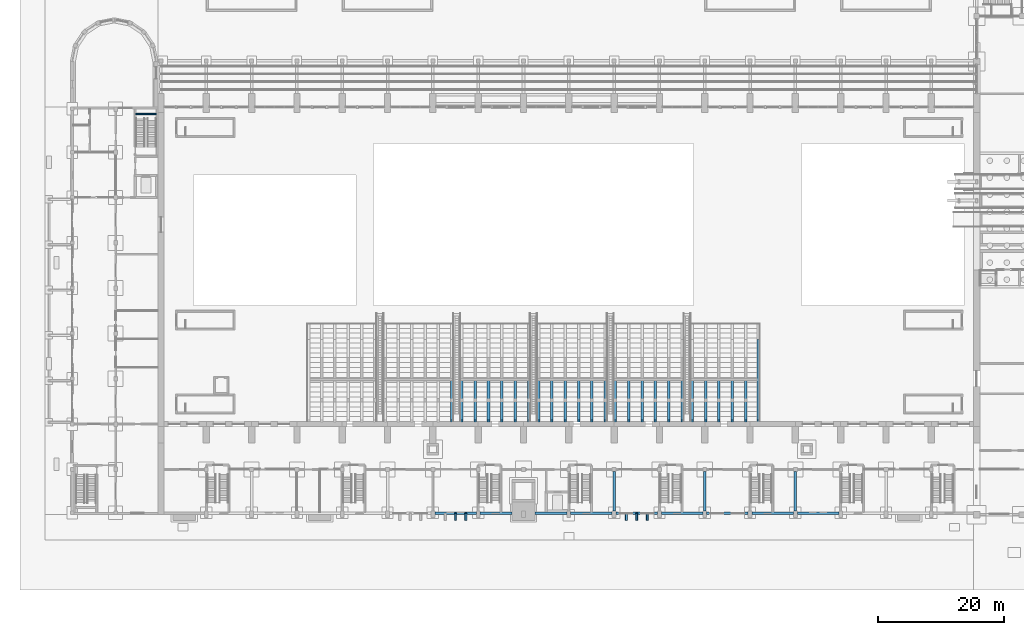
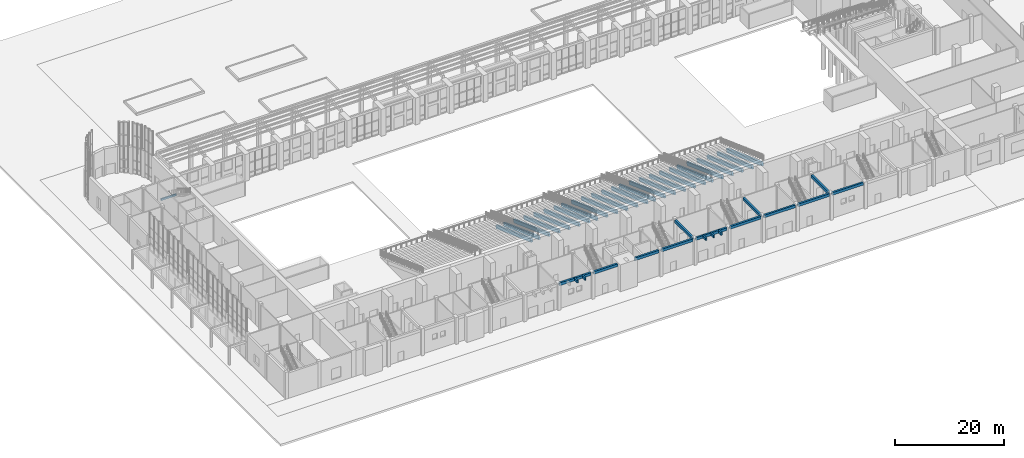
# One storey, part 12 of 70: 38 beams, 5 members.
"""IFC4 building model written with IfcOpenShell, lengths in metres."""

from ifc_helpers import new_model, si_unit, direction, frame, origin, origin_2d, place, context, subcontext, project, spatial, rectangle, extrude, material, material_profile, profile_set, type_object, element, save


model = new_model("IFC4")

# Units and contexts
model_context = context("Model", 3, precision=1e-05, world=origin(), true_north=direction((0.0, 1.0)))
body_context = subcontext(model_context, "Body", "Model", "MODEL_VIEW")
ifc_project = project(units=[si_unit("LENGTHUNIT", "METRE"), si_unit("AREAUNIT", "SQUARE_METRE"), si_unit("VOLUMEUNIT", "CUBIC_METRE"), si_unit("PLANEANGLEUNIT", "RADIAN"), si_unit("MASSUNIT", "GRAM", prefix="KILO")], contexts=[model_context])

# Site, building, storey
site_placement = place(None, origin())
site = spatial("IfcSite", under=ifc_project, at=site_placement, CompositionType="ELEMENT")
building_placement = place(site_placement, origin())
building = spatial("IfcBuilding", under=site, at=building_placement, Name="Vermilion Court Aquatics Centre", CompositionType="ELEMENT")
storey_placement = place(building_placement, origin())
storey = spatial("IfcBuildingStorey", under=building, at=storey_placement, Name="L00", CompositionType="ELEMENT", Elevation=0.0)

# Beams
ifc_material_1 = material(Name="Concrete 5000 psi", Category="concrete")
ifc_material_profile_1 = material_profile(ifc_material_1, rectangle(XDim=0.25, YDim=0.39990234375, at=origin_2d()), Name="RC 250x400")
ifc_profile_set_1 = profile_set([ifc_material_profile_1], Name="Concrete 5000 psi")
beam_type_1 = type_object("IfcBeamType", Name="Foyer landing beam RC 250x400", PredefinedType="BEAM", material=ifc_profile_set_1)
beam_1_placement = place(storey_placement, frame((10.425048828125, 63.68994140625, 2.375), z_axis=(1.0, 0.0, 0.0), x_axis=(0.0, 1.0, 0.0)))
element("IfcBeam", 1, at=beam_1_placement, inside=storey, type_object=beam_type_1, Name="Landing beam F2", PredefinedType="BEAM", context=body_context, shape_type="SweptSolid", body=[
    extrude(rectangle(XDim=0.25, YDim=0.39990234375, at=origin_2d()), origin(), (0.0, 0.0, 1.0), 3.224853515625),
])
ifc_material_2 = material(Name="Concrete 5000 psi", Category="concrete")
ifc_material_profile_2 = material_profile(ifc_material_2, rectangle(XDim=0.39990234375, YDim=0.60009765625, at=origin_2d()), Name="RC 400x600")
ifc_profile_set_2 = profile_set([ifc_material_profile_2], Name="Concrete 5000 psi")
beam_type_2 = type_object("IfcBeamType", Name="South floor beam RC 400x600", PredefinedType="BEAM", material=ifc_profile_set_2)
beam_2_placement = place(storey_placement, frame((57.89990234375, 0.199951171875, 5.39990234375), z_axis=(1.0, 0.0, 0.0), x_axis=(0.0, 1.0, 0.0)))
element("IfcBeam", 2, at=beam_2_placement, inside=storey, type_object=beam_type_2, Name="South floor edge beam", PredefinedType="BEAM", context=body_context, shape_type="SweptSolid", body=[
    extrude(rectangle(XDim=0.39990234375, YDim=0.60009765625, at=origin_2d()), origin(), (0.0, 0.0, 1.0), 6.60009765625),
])
for number, where, z_axis, x_axis, name in (
    (3, (65.10009765625, 0.199951171875, 5.39990234375), (1.0, 0.0, 0.0), (0.0, 1.0, 0.0), "South floor edge beam"),
    (4, (73.800048828125, 0.199951171875, 5.39990234375), (1.0, 0.0, 0.0), (0.0, 1.0, 0.0), "South floor edge beam"),
):
    element("IfcBeam", number, at=place(storey_placement, frame(where, z_axis=z_axis, x_axis=x_axis)), inside=storey, type_object=beam_type_2, Name=name, PredefinedType="BEAM", context=body_context, shape_type="SweptSolid", body=[
        extrude(rectangle(XDim=0.39990234375, YDim=0.60009765625, at=origin_2d()), origin(), (0.0, 0.0, 1.0), 5.099853515625),
    ])
for number, where, z_axis, x_axis, name in (
    (5, (79.5, 0.199951171875, 5.39990234375), (1.0, 0.0, 0.0), (0.0, 1.0, 0.0), "South floor edge beam"),
    (6, (86.699951171875, 0.199951171875, 5.39990234375), (1.0, 0.0, 0.0), (0.0, 1.0, 0.0), "South floor edge beam"),
    (7, (93.89990234375, 0.199951171875, 5.39990234375), (1.0, 0.0, 0.0), (0.0, 1.0, 0.0), "South floor edge beam"),
):
    element("IfcBeam", number, at=place(storey_placement, frame(where, z_axis=z_axis, x_axis=x_axis)), inside=storey, type_object=beam_type_2, Name=name, PredefinedType="BEAM", context=body_context, shape_type="SweptSolid", body=[
        extrude(rectangle(XDim=0.39990234375, YDim=0.60009765625, at=origin_2d()), origin(), (0.0, 0.0, 1.0), 6.60009765625),
    ])
for number, where, z_axis, x_axis, name in (
    (8, (101.10009765625, 0.199951171875, 5.39990234375), (1.0, 0.0, 0.0), (0.0, 1.0, 0.0), "South floor edge beam"),
    (9, (108.300048828125, 0.199951171875, 5.39990234375), (1.0, 0.0, 0.0), (0.0, 1.0, 0.0), "South floor edge beam"),
):
    element("IfcBeam", number, at=place(storey_placement, frame(where, z_axis=z_axis, x_axis=x_axis)), inside=storey, type_object=beam_type_2, Name=name, PredefinedType="BEAM", context=body_context, shape_type="SweptSolid", body=[
        extrude(rectangle(XDim=0.39990234375, YDim=0.60009765625, at=origin_2d()), origin(), (0.0, 0.0, 1.0), 6.599853515625),
    ])
beam_3_placement = place(storey_placement, frame((115.5, 0.199951171875, 5.39990234375), z_axis=(1.0, 0.0, 0.0), x_axis=(0.0, 1.0, 0.0)))
element("IfcBeam", 10, at=beam_3_placement, inside=storey, type_object=beam_type_2, Name="South floor edge beam", PredefinedType="BEAM", context=body_context, shape_type="SweptSolid", body=[
    extrude(rectangle(XDim=0.39990234375, YDim=0.60009765625, at=origin_2d()), origin(), (0.0, 0.0, 1.0), 6.60009765625),
])
for number, where, z_axis, x_axis, name in (
    (11, (86.39990234375, 0.60009765625, 5.39990234375), (0.0, 1.0, 0.0), (-1.0, 0.0, 0.0), "South floor beam"),
    (12, (100.800048828125, 0.60009765625, 5.39990234375), (0.0, 1.0, 0.0), (-1.0, 0.0, 0.0), "South floor beam"),
    (13, (115.199951171875, 0.60009765625, 5.39990234375), (0.0, 1.0, 0.0), (-1.0, 0.0, 0.0), "South floor beam"),
):
    element("IfcBeam", number, at=place(storey_placement, frame(where, z_axis=z_axis, x_axis=x_axis)), inside=storey, type_object=beam_type_2, Name=name, PredefinedType="BEAM", context=body_context, shape_type="SweptSolid", body=[
        extrude(rectangle(XDim=0.39990234375, YDim=0.60009765625, at=origin_2d()), origin(), (0.0, 0.0, 1.0), 6.2998046875),
    ])

# Members
ifc_material_3 = material(Name="Concrete 5000 psi", Category="concrete")
ifc_material_profile_3 = material_profile(ifc_material_3, rectangle(XDim=0.300048828125, YDim=0.60009765625, at=origin_2d()), Name="RC 300x600")
ifc_profile_set_3 = profile_set([ifc_material_profile_3], Name="Concrete 5000 psi")
member_type = type_object("IfcMemberType", Name="South oriel corbel RC 300x600", PredefinedType="STRUT", material=ifc_profile_set_3)
for number, where, z_axis, x_axis, name in (
    (14, (88.35009765625, -0.89990234375, 5.39990234375), (0.0, 1.0, 0.0), (-1.0, 0.0, 0.0), "South oriel corbel"),
    (15, (90.0, -0.89990234375, 5.39990234375), (0.0, 1.0, 0.0), (-1.0, 0.0, 0.0), "South oriel corbel"),
    (16, (91.64990234375, -0.89990234375, 5.39990234375), (0.0, 1.0, 0.0), (-1.0, 0.0, 0.0), "South oriel corbel"),
    (17, (61.199951171875, -0.89990234375, 5.39990234375), (0.0, 1.0, 0.0), (-1.0, 0.0, 0.0), "South oriel corbel"),
    (18, (62.85009765625, -0.89990234375, 5.39990234375), (0.0, 1.0, 0.0), (-1.0, 0.0, 0.0), "South oriel corbel"),
):
    element("IfcMember", number, at=place(storey_placement, frame(where, z_axis=z_axis, x_axis=x_axis)), inside=storey, type_object=member_type, Name=name, PredefinedType="STRUT", context=body_context, shape_type="SweptSolid", body=[
        extrude(rectangle(XDim=0.300048828125, YDim=0.60009765625, at=origin_2d()), origin(), (0.0, 0.0, 1.0), 1.099853515625),
    ])

# Beams
ifc_material_4 = material(Name="Concrete 5000 psi", Category="concrete")
ifc_material_profile_4 = material_profile(ifc_material_4, rectangle(XDim=0.5, YDim=0.75, at=origin_2d()), Name="RC 500x750")
ifc_profile_set_4 = profile_set([ifc_material_profile_4], Name="Concrete 5000 psi")
beam_type_3 = type_object("IfcBeamType", Name="Tribune end raker beam RC 500x750", PredefinedType="BEAM", material=ifc_profile_set_4)
beam_4_placement = place(storey_placement, frame((109.35009765625, 27.6708984375, 0.62158203125), z_axis=(0.0, -0.938985441886, 0.343956886725), x_axis=(1.0, 0.0, 0.0)))
element("IfcBeam", 19, at=beam_4_placement, inside=storey, type_object=beam_type_3, Name="Raker 6.6", PredefinedType="BEAM", context=body_context, shape_type="SweptSolid", body=[
    extrude(rectangle(XDim=0.5, YDim=0.75, at=origin_2d()), origin(), (0.0, 0.0, 1.0), 13.612548828125),
])
ifc_material_5 = material(Name="Concrete 5000 psi", Category="concrete")
ifc_material_profile_5 = material_profile(ifc_material_5, rectangle(XDim=0.39990234375, YDim=0.75, at=origin_2d()), Name="RC 400x750")
ifc_profile_set_5 = profile_set([ifc_material_profile_5], Name="Concrete 5000 psi")
beam_type_4 = type_object("IfcBeamType", Name="Tribune raker beam RC 400x750", PredefinedType="BEAM", material=ifc_profile_set_5)
for number, where, z_axis, x_axis, name in (
    (20, (60.60009765625, 27.6708984375, 0.62158203125), (0.0, -0.938985441886, 0.343956886725), (1.0, 0.0, 0.0), "Raker 2.6"),
    (21, (62.199951171875, 27.6708984375, 0.62158203125), (0.0, -0.938985441886, 0.343956886725), (1.0, 0.0, 0.0), "Raker 3.1"),
    (22, (64.320068359375, 27.6708984375, 0.62158203125), (0.0, -0.938985441886, 0.343956886725), (1.0, 0.0, 0.0), "Raker 3.2"),
    (23, (66.43994140625, 27.6708984375, 0.62158203125), (0.0, -0.938985441886, 0.343956886725), (1.0, 0.0, 0.0), "Raker 3.3"),
    (24, (68.56005859375, 27.6708984375, 0.62158203125), (0.0, -0.938985441886, 0.343956886725), (1.0, 0.0, 0.0), "Raker 3.4"),
    (25, (70.679931640625, 27.6708984375, 0.62158203125), (0.0, -0.938985441886, 0.343956886725), (1.0, 0.0, 0.0), "Raker 3.5"),
    (26, (72.800048828125, 27.6708984375, 0.62158203125), (0.0, -0.938985441886, 0.343956886725), (1.0, 0.0, 0.0), "Raker 3.6"),
    (27, (74.39990234375, 27.6708984375, 0.62158203125), (0.0, -0.938985441886, 0.343956886725), (1.0, 0.0, 0.0), "Raker 4.1"),
    (28, (76.52001953125, 27.6708984375, 0.62158203125), (0.0, -0.938985441886, 0.343956886725), (1.0, 0.0, 0.0), "Raker 4.2"),
    (29, (78.639892578125, 27.6708984375, 0.62158203125), (0.0, -0.938985441886, 0.343956886725), (1.0, 0.0, 0.0), "Raker 4.3"),
    (30, (80.760009765625, 27.6708984375, 0.62158203125), (0.0, -0.938985441886, 0.343956886725), (1.0, 0.0, 0.0), "Raker 4.4"),
    (31, (82.8798828125, 27.6708984375, 0.62158203125), (0.0, -0.938985441886, 0.343956886725), (1.0, 0.0, 0.0), "Raker 4.5"),
    (32, (85.0, 27.6708984375, 0.62158203125), (0.0, -0.938985441886, 0.343956886725), (1.0, 0.0, 0.0), "Raker 4.6"),
    (33, (86.60009765625, 27.6708984375, 0.62158203125), (0.0, -0.938985441886, 0.343956886725), (1.0, 0.0, 0.0), "Raker 5.1"),
    (34, (88.719970703125, 27.6708984375, 0.62158203125), (0.0, -0.938985441886, 0.343956886725), (1.0, 0.0, 0.0), "Raker 5.2"),
    (35, (90.840087890625, 27.6708984375, 0.62158203125), (0.0, -0.938985441886, 0.343956886725), (1.0, 0.0, 0.0), "Raker 5.3"),
    (36, (92.9599609375, 27.6708984375, 0.62158203125), (0.0, -0.938985441886, 0.343956886725), (1.0, 0.0, 0.0), "Raker 5.4"),
    (37, (95.080078125, 27.6708984375, 0.62158203125), (0.0, -0.938985441886, 0.343956886725), (1.0, 0.0, 0.0), "Raker 5.5"),
    (38, (97.199951171875, 27.6708984375, 0.62158203125), (0.0, -0.938985441886, 0.343956886725), (1.0, 0.0, 0.0), "Raker 5.6"),
    (39, (98.800048828125, 27.6708984375, 0.62158203125), (0.0, -0.938985441886, 0.343956886725), (1.0, 0.0, 0.0), "Raker 6.1"),
    (40, (100.919921875, 27.6708984375, 0.62158203125), (0.0, -0.938985441886, 0.343956886725), (1.0, 0.0, 0.0), "Raker 6.2"),
    (41, (103.0400390625, 27.6708984375, 0.62158203125), (0.0, -0.938985441886, 0.343956886725), (1.0, 0.0, 0.0), "Raker 6.3"),
    (42, (105.159912109375, 27.6708984375, 0.62158203125), (0.0, -0.938985441886, 0.343956886725), (1.0, 0.0, 0.0), "Raker 6.4"),
    (43, (107.280029296875, 27.6708984375, 0.62158203125), (0.0, -0.938985441886, 0.343956886725), (1.0, 0.0, 0.0), "Raker 6.5"),
):
    element("IfcBeam", number, at=place(storey_placement, frame(where, z_axis=z_axis, x_axis=x_axis)), inside=storey, type_object=beam_type_4, Name=name, PredefinedType="BEAM", context=body_context, shape_type="SweptSolid", body=[
        extrude(rectangle(XDim=0.39990234375, YDim=0.75, at=origin_2d()), origin(), (0.0, 0.0, 1.0), 13.612548828125),
    ])

save(model, "model.ifc")
